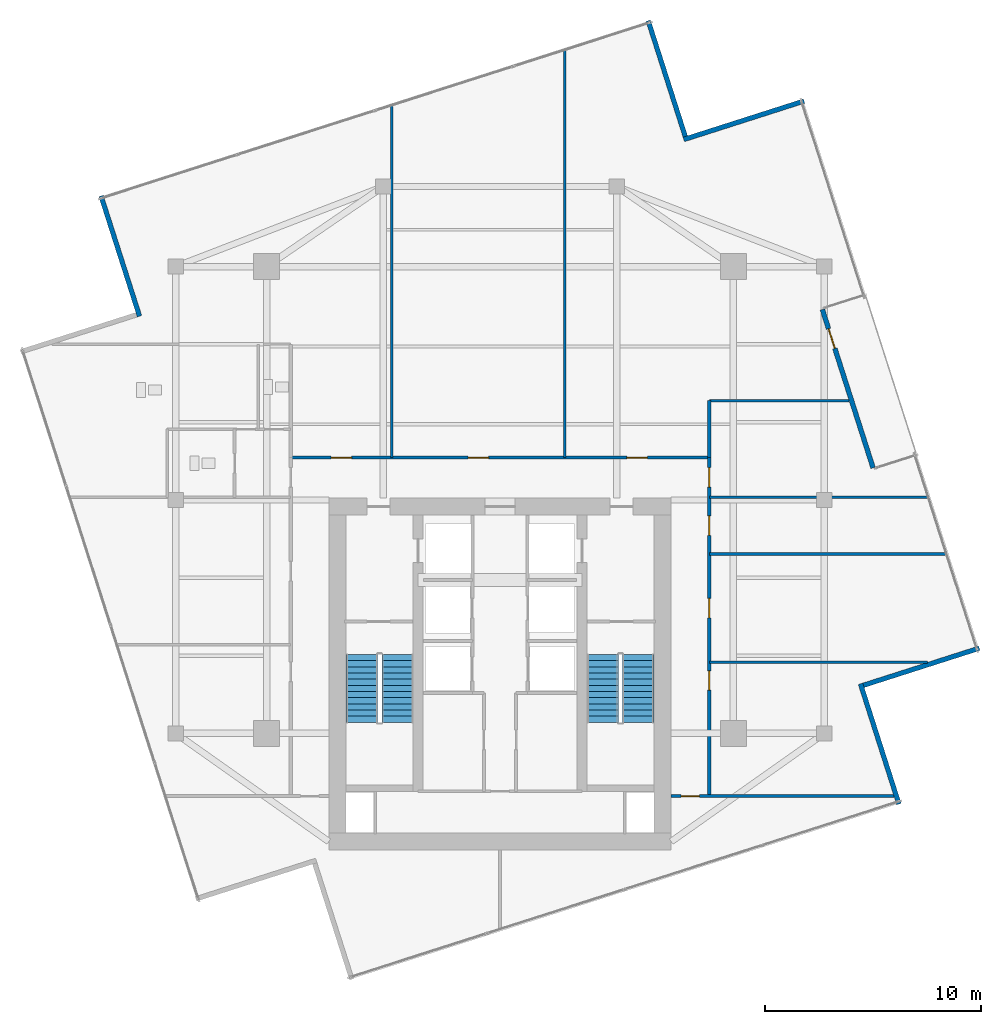
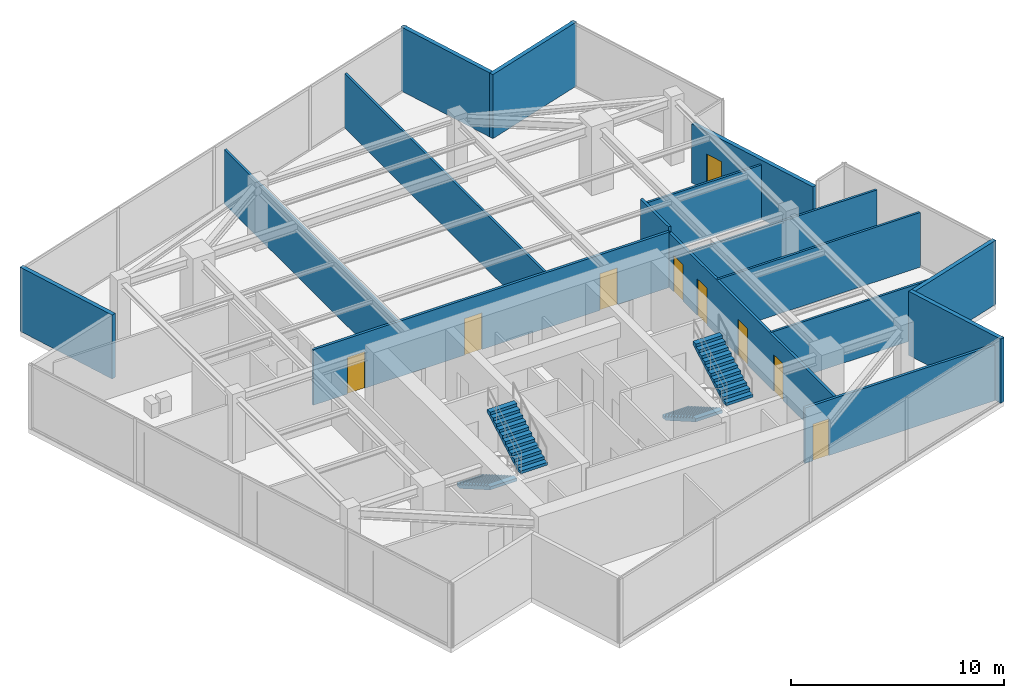
# One storey, part 19 of 21: 16 walls, 9 doors, 4 stair flights, 9 openings, 2 elements without a shape of their own.
"""IFC4 building model written with IfcOpenShell, lengths in metres."""

import ifcopenshell
import ifcopenshell.guid

model = None  # the IFC model being written
_history = None  # IfcOwnerHistory: only IFC2X3 demands one
_inside = {}  # id of a spatial element -> (the spatial element, [elements in it])
_under = {}  # id of a project, library or spatial element -> (it, [spatial elements below it])
_declared = {}  # id of a project -> (the project, [libraries it declares])
_typed = {}  # id of a type object -> (the type object, [elements of that type])
_made_of = {}  # id of a material, layer set ... -> (it, [elements and type objects made of it])


def new_model(schema):
    """Start an empty IFC model of exactly this schema.

    Asked for "IFC4X3", IfcOpenShell would pick the latest addendum, in which some entities
    have other attributes; the version numbers below select the first issue.
    IFC2X3 requires an IfcOwnerHistory on every rooted entity: one is made here for all.
    """
    global model, _history
    if schema == "IFC4X3":
        model = ifcopenshell.file(schema_version=(4, 3, 0, 0))
    else:
        model = ifcopenshell.file(schema=schema)
    _inside.clear()
    _under.clear()
    _declared.clear()
    _typed.clear()
    _made_of.clear()
    _history = None
    if model.schema == "IFC2X3":
        org = make("IfcOrganization", Name="unknown")
        user = make(
            "IfcPersonAndOrganization",
            ThePerson=make("IfcPerson", FamilyName="unknown"),
            TheOrganization=org,
        )
        app = make(
            "IfcApplication",
            ApplicationDeveloper=org,
            Version="unknown",
            ApplicationFullName="unknown",
            ApplicationIdentifier="unknown",
        )
        _history = make(
            "IfcOwnerHistory",
            OwningUser=user,
            OwningApplication=app,
            ChangeAction="ADDED",
            CreationDate=0,
        )
    return model


def make(cls, **values):
    """One entity of the class cls with the attributes given. An attribute that is None is left unset."""
    return model.create_entity(
        cls, **{name: value for name, value in values.items() if value is not None}
    )


def rooted(cls, **values):
    """An entity with a GlobalId (a new one), such as an element, a storey or a relation."""
    return make(cls, GlobalId=ifcopenshell.guid.new(), OwnerHistory=_history, **values)


def si_unit(unit_type, name, prefix=None):
    """IfcSIUnit, for example si_unit("LENGTHUNIT", "METRE", prefix="MILLI")."""
    return make("IfcSIUnit", UnitType=unit_type, Prefix=prefix, Name=name)


def assignment(units):
    """IfcUnitAssignment: the units of a project."""
    return None if units is None else make("IfcUnitAssignment", Units=units)


def point(xyz):
    """IfcCartesianPoint."""
    return None if xyz is None else make("IfcCartesianPoint", Coordinates=xyz)


def direction(xyz):
    """IfcDirection."""
    return None if xyz is None else make("IfcDirection", DirectionRatios=xyz)


def frame(location, z_axis=None, x_axis=None):
    """IfcAxis2Placement3D, a coordinate frame: its origin and axes. An axis left out is left unset."""
    return make(
        "IfcAxis2Placement3D",
        Location=point(location),
        Axis=direction(z_axis),
        RefDirection=direction(x_axis),
    )


def frame_2d(location, x_axis=None):
    """IfcAxis2Placement2D, a coordinate frame in the plane: its origin and x axis."""
    return make(
        "IfcAxis2Placement2D", Location=point(location), RefDirection=direction(x_axis)
    )


def origin():
    """The frame at (0, 0, 0) with its axes left unset."""
    return frame((0.0, 0.0, 0.0))


def place(relative_to, where):
    """IfcLocalPlacement: puts the frame where relative to a parent placement (None: the world)."""
    return make(
        "IfcLocalPlacement", PlacementRelTo=relative_to, RelativePlacement=where
    )


def context(
    kind, dimensions, precision=None, world=None, true_north=None, identifier=None
):
    """IfcGeometricRepresentationContext, for example the 3D "Model" context."""
    return make(
        "IfcGeometricRepresentationContext",
        ContextIdentifier=identifier,
        ContextType=kind,
        CoordinateSpaceDimension=dimensions,
        Precision=precision,
        WorldCoordinateSystem=world,
        TrueNorth=true_north,
    )


def subcontext(parent, identifier, kind, view, scale=None):
    """IfcGeometricRepresentationSubContext, for example "Body" below "Model"."""
    return make(
        "IfcGeometricRepresentationSubContext",
        ContextIdentifier=identifier,
        ContextType=kind,
        ParentContext=parent,
        TargetScale=scale,
        TargetView=view,
    )


def project(units=None, contexts=None):
    """IfcProject with its units and contexts."""
    return rooted(
        "IfcProject",
        Name="project",
        RepresentationContexts=contexts,
        UnitsInContext=assignment(units),
    )


def spatial(cls, under=None, at=None, **own):
    """A site, building, storey or space (cls), placed at a placement, below another one or the project."""
    s = rooted(cls, ObjectPlacement=at, **own)
    if under is not None:
        _under.setdefault(under.id(), (under, []))[1].append(s)
    return s


def polyline(points):
    """IfcPolyline through the points."""
    return make("IfcPolyline", Points=[point(p) for p in points])


def profile(cls, at=None, kind="AREA", **sizes):
    """A parametric profile (cls). Its sizes go by their IFC names, for example OverallWidth=200.0."""
    return make(cls, ProfileType=kind, Position=at, **sizes)


def rectangle(**sizes):
    """IfcRectangleProfileDef."""
    return profile("IfcRectangleProfileDef", **sizes)


def outline(outer, holes=None, kind="AREA"):
    """IfcArbitraryClosedProfileDef: a profile drawn as a closed curve; with holes, ...WithVoids."""
    if holes is None:
        return make("IfcArbitraryClosedProfileDef", ProfileType=kind, OuterCurve=outer)
    return make(
        "IfcArbitraryProfileDefWithVoids",
        ProfileType=kind,
        OuterCurve=outer,
        InnerCurves=holes,
    )


def extrude(swept, where, along, depth):
    """IfcExtrudedAreaSolid: the profile swept, set in the frame where, extruded along a direction by depth."""
    return make(
        "IfcExtrudedAreaSolid",
        SweptArea=swept,
        Position=where,
        ExtrudedDirection=direction(along),
        Depth=depth,
    )


def shape(context_of_items, identifier, shape_type, items):
    """IfcShapeRepresentation: the items that make up one representation, for example the "Body"."""
    return make(
        "IfcShapeRepresentation",
        ContextOfItems=context_of_items,
        RepresentationIdentifier=identifier,
        RepresentationType=shape_type,
        Items=items,
    )


def material(Name=None, Category=None):
    """IfcMaterial."""
    return make("IfcMaterial", Name=Name, Category=Category)


def layer(
    of_material, thickness, ventilated=None, Name=None, Category=None, Priority=None
):
    """IfcMaterialLayer: one layer of a wall or slab, of a material (None: an air gap)."""
    return make(
        "IfcMaterialLayer",
        Material=of_material,
        LayerThickness=thickness,
        IsVentilated=ventilated,
        Name=Name,
        Category=Category,
        Priority=Priority,
    )


def layer_set(layers, Name=None):
    """IfcMaterialLayerSet."""
    return make("IfcMaterialLayerSet", MaterialLayers=layers, LayerSetName=Name)


def made_of(thing, what):
    """Note that an element or type object is made of a material, layer set ...; save() writes the relation."""
    if what is not None:
        _made_of.setdefault(what.id(), (what, []))[1].append(thing)
    return thing


def type_object(cls, material=None, **own):
    """A type object (cls), such as IfcWallType, which elements share."""
    return made_of(rooted(cls, **own), material)


def element(
    cls,
    number,
    at=None,
    inside=None,
    cuts=None,
    type_object=None,
    material=None,
    context=None,
    identifier="Body",
    shape_type=None,
    held_by="IfcProductDefinitionShape",
    body=None,
    shapes=None,
    **own,
):
    """One element of the class cls, such as IfcWall. Its Tag is "e" and its number.

    at: its placement. inside: the storey or other place that contains it. cuts: it is an
    opening in that element (IfcRelVoidsElement). A single representation is given by context,
    identifier, shape_type and body (its items); several are given by shapes. held_by: the class
    of the entity that holds the representations. save() writes the other relations.
    """
    e = rooted(cls, Tag="e%d" % number, ObjectPlacement=at, **own)
    if body is not None:
        shapes = [shape(context, identifier, shape_type, body)]
    if shapes is not None:
        e.Representation = make(held_by, Representations=shapes)
    if inside is not None:
        _inside.setdefault(inside.id(), (inside, []))[1].append(e)
    if cuts is not None:
        rooted(
            "IfcRelVoidsElement", RelatingBuildingElement=cuts, RelatedOpeningElement=e
        )
    if type_object is not None:
        _typed.setdefault(type_object.id(), (type_object, []))[1].append(e)
    return made_of(e, material)


def fill(opening, filler):
    """IfcRelFillsElement: the door or window that sits in an opening."""
    return rooted(
        "IfcRelFillsElement",
        RelatingOpeningElement=opening,
        RelatedBuildingElement=filler,
    )


def aggregate(whole, parts):
    """IfcRelAggregates: a whole, such as a stair, and the parts it consists of."""
    return rooted("IfcRelAggregates", RelatingObject=whole, RelatedObjects=parts)


def save(model, path):
    """Write the relations noted so far, then the file.

    IfcRelAggregates (storeys below a building ...), IfcRelContainedInSpatialStructure (elements
    in a storey), IfcRelDefinesByType, IfcRelAssociatesMaterial and IfcRelDeclares: one each for
    every whole, place, type object, material and project.
    """
    for whole, parts in _under.values():
        aggregate(whole, parts)
    for where, things in _inside.values():
        rooted(
            "IfcRelContainedInSpatialStructure",
            RelatedElements=things,
            RelatingStructure=where,
        )
    for kind, things in _typed.values():
        rooted("IfcRelDefinesByType", RelatedObjects=things, RelatingType=kind)
    for what, things in _made_of.values():
        rooted("IfcRelAssociatesMaterial", RelatedObjects=things, RelatingMaterial=what)
    for by, libraries in _declared.values():
        rooted("IfcRelDeclares", RelatingContext=by, RelatedDefinitions=libraries)
    model.write(path)


model = new_model("IFC4")

# Units and contexts
model_context = context("Model", 3, precision=1e-05, world=origin(), true_north=direction((0.0, 1.0)))
body_context = subcontext(model_context, "Body", "Model", "MODEL_VIEW")
ifc_project = project(units=[si_unit("LENGTHUNIT", "METRE"), si_unit("AREAUNIT", "SQUARE_METRE"), si_unit("VOLUMEUNIT", "CUBIC_METRE"), si_unit("PLANEANGLEUNIT", "RADIAN"), si_unit("MASSUNIT", "GRAM", prefix="KILO")], contexts=[model_context])

# Site, building, storey
site_placement = place(None, origin())
site = spatial("IfcSite", under=ifc_project, at=site_placement, CompositionType="ELEMENT")
building_placement = place(site_placement, origin())
building = spatial("IfcBuilding", under=site, at=building_placement, Name="Krantzveldt Concourse Tower", CompositionType="ELEMENT")
storey_placement = place(building_placement, frame((0.0, 0.0, 339.550048828125)))
storey = spatial("IfcBuildingStorey", under=building, at=storey_placement, Name="L83", CompositionType="ELEMENT", Elevation=339.550048828125)

# Walls
ifc_material_1 = material(Name="Anodised aluminium 6063-T6", Category="aluminium")
ifc_layer_1 = layer(ifc_material_1, 0.219970703125, Name="Anodised aluminium 6063-T6", Category="aluminium")
ifc_layer_set_1 = layer_set([ifc_layer_1], Name="Anodised aluminium 6063-T6 (WL-EXT-NOTCH220)")
wall_type_1 = type_object("IfcWallType", Name="WL-EXT-NOTCH220", PredefinedType="ELEMENTEDWALL", material=ifc_layer_set_1)
wall_1_placement = place(storey_placement, frame((44.572265625, 43.513671875, 0.0), z_axis=(0.0, 0.0, 1.0), x_axis=(-0.304903286447, 0.952383318792, 0.0)))
element("IfcWall", 1, at=wall_1_placement, inside=storey, type_object=wall_type_1, Name="EW-L83-NCH00", PredefinedType="ELEMENTEDWALL", context=body_context, shape_type="SweptSolid", body=[
    extrude(rectangle(XDim=5.625, YDim=0.219970703125, at=frame_2d((2.8125, 0.0))), origin(), (0.0, 0.0, 1.0), 3.669921875),
])
for number, where, z_axis, x_axis, name in (
    (2, (17.542724609375, 40.767578125, 0.0), (0.0, 0.0, 1.0), (0.304839382122, -0.952403775248, 0.0), "EW-L83-NCH02"),
    (3, (54.457275390625, 12.63232421875, 0.0), (0.0, 0.0, 1.0), (-0.304839382122, 0.952403775248, 0.0), "EW-L83-NCH08"),
):
    element("IfcWall", number, at=place(storey_placement, frame(where, z_axis=z_axis, x_axis=x_axis)), inside=storey, type_object=wall_type_1, Name=name, PredefinedType="ELEMENTEDWALL", context=body_context, shape_type="SweptSolid", body=[
        extrude(rectangle(XDim=5.8447265625, YDim=0.219970703125, at=frame_2d((2.92236328125, 0.0))), origin(), (0.0, 0.0, 1.0), 3.669921875),
    ])
wall_2_placement = place(storey_placement, frame((52.813720703125, 18.1279296875, 0.0), z_axis=(0.0, 0.0, 1.0), x_axis=(0.952395921602, 0.30486391803, 0.0)))
element("IfcWall", 4, at=wall_2_placement, inside=storey, type_object=wall_type_1, Name="EW-L83-NCH09", PredefinedType="ELEMENTEDWALL", context=body_context, shape_type="SweptSolid", body=[
    extrude(rectangle(XDim=5.625, YDim=0.219970703125, at=frame_2d((2.8125, 0.0))), origin(), (0.0, 0.0, 1.0), 3.669921875),
])

# Wall, opening, door
wall_3_placement = place(storey_placement, frame((50.913818359375, 35.51123046875, 0.0), z_axis=(0.0, 0.0, 1.0), x_axis=(0.304842539612, -0.952402764613, 0.0)))
wall_3 = element("IfcWall", 5, at=wall_3_placement, inside=storey, type_object=wall_type_1, Name="EW-L83-TSLOT", PredefinedType="ELEMENTEDWALL", context=body_context, shape_type="SweptSolid", body=[
    extrude(rectangle(XDim=7.68994140625, YDim=0.219970703125, at=frame_2d((3.844970703125, 0.0))), origin(), (0.0, 0.0, 1.0), 3.3798828125),
])
opening_1_placement = place(wall_3_placement, frame((0.936767578125, 0.0, 0.0)))
opening_1 = element("IfcOpeningElement", 6, at=opening_1_placement, cuts=wall_3, Name="Opening D-EX95", PredefinedType="OPENING", context=body_context, shape_type="SweptSolid", body=[
    extrude(rectangle(XDim=0.949951171875, YDim=2.10009765625, at=frame_2d((0.47509765625, 1.050048828125))), frame((0.0, 0.1201171875, 0.0), z_axis=(0.0, -1.0, 0.0), x_axis=(1.0, 0.0, 0.0)), (0.0, 0.0, 1.0), 0.239990234375),
])
door_type_1 = type_object("IfcDoorType", Name="DR-EXT-950", OperationType="SINGLE_SWING_LEFT", PredefinedType="DOOR", material=ifc_material_1)
door_1_placement = place(opening_1_placement, origin())
door_1 = element("IfcDoor", 7, at=door_1_placement, inside=storey, type_object=door_type_1, Name="DR-L83-TERR", OperationType="SINGLE_SWING_LEFT", OverallHeight=2.10009765625, OverallWidth=0.949951171875, PredefinedType="DOOR", context=body_context, shape_type="SweptSolid", body=[
    extrude(rectangle(XDim=0.949951171875, YDim=2.10009765625, at=frame_2d((0.47509765625, 1.050048828125))), frame((0.0, 0.02490234375, 0.0), z_axis=(0.0, -1.0, 0.0), x_axis=(1.0, 0.0, 0.0)), (0.0, 0.0, 1.0), 0.050048828125),
])
fill(opening_1, door_1)

# Walls
wall_4_placement = place(storey_placement, frame((50.067626953125, 45.157470703125, 0.0), z_axis=(0.0, 0.0, 1.0), x_axis=(-0.952391647481, -0.304877270074, 0.0)))
element("IfcWall", 8, at=wall_4_placement, inside=storey, type_object=wall_type_1, Name="EW-L83-NCH15", PredefinedType="ELEMENTEDWALL", context=body_context, shape_type="SweptSolid", body=[
    extrude(rectangle(XDim=5.844970703125, YDim=0.219970703125, at=frame_2d((2.92236328125, 0.0))), origin(), (0.0, 0.0, 1.0), 3.669921875),
])
ifc_material_2 = material(Name="Fire-rated gypsum plasterboard on steel stud", Category="steel")
ifc_layer_2 = layer(ifc_material_2, 0.1201171875, Name="Fire-rated gypsum plasterboard on steel stud", Category="steel")
ifc_layer_set_2 = layer_set([ifc_layer_2], Name="Fire-rated gypsum plasterboard on steel stud (WL-PART-120)")
wall_type_2 = type_object("IfcWallType", Name="WL-PART-120", PredefinedType="PARTITIONING", material=ifc_layer_set_2)
wall_5_placement = place(storey_placement, frame((45.679931640625, 26.820068359375, 0.0), z_axis=(0.0, 0.0, 1.0), x_axis=(1.0, 0.0, 0.0)))
element("IfcWall", 9, at=wall_5_placement, inside=storey, type_object=wall_type_2, Name="WP-L83-PNTS", PredefinedType="PARTITIONING", context=body_context, shape_type="SweptSolid", body=[
    extrude(rectangle(XDim=10.136962890625, YDim=0.1201171875, at=frame_2d((5.068359375, 0.0))), origin(), (0.0, 0.0, 1.0), 3.1298828125),
])
wall_6_placement = place(storey_placement, frame((45.679931640625, 31.300048828125, 0.0), z_axis=(0.0, 0.0, 1.0), x_axis=(1.0, 0.0, 0.0)))
element("IfcWall", 10, at=wall_6_placement, inside=storey, type_object=wall_type_2, Name="WP-L83-PNTN", PredefinedType="PARTITIONING", context=body_context, shape_type="SweptSolid", body=[
    extrude(rectangle(XDim=6.461181640625, YDim=0.1201171875, at=frame_2d((3.23046875, 0.0))), origin(), (0.0, 0.0, 1.0), 3.1298828125),
])
wall_7_placement = place(storey_placement, frame((31.0, 28.659912109375, 0.0), z_axis=(0.0, 0.0, 1.0), x_axis=(0.0, 1.0, 0.0)))
element("IfcWall", 11, at=wall_7_placement, inside=storey, type_object=wall_type_2, Name="WP-L83-ND1", PredefinedType="PARTITIONING", context=body_context, shape_type="SweptSolid", body=[
    extrude(rectangle(XDim=16.294677734375, YDim=0.1201171875, at=frame_2d((8.1474609375, 0.0))), origin(), (0.0, 0.0, 1.0), 3.1298828125),
])
wall_8_placement = place(storey_placement, frame((39.0, 28.659912109375, 0.0), z_axis=(0.0, 0.0, 1.0), x_axis=(0.0, 1.0, 0.0)))
element("IfcWall", 12, at=wall_8_placement, inside=storey, type_object=wall_type_2, Name="WP-L83-ND2", PredefinedType="PARTITIONING", context=body_context, shape_type="SweptSolid", body=[
    extrude(rectangle(XDim=18.85546875, YDim=0.1201171875, at=frame_2d((9.427734375, 0.0))), origin(), (0.0, 0.0, 1.0), 3.1298828125),
])
wall_9_placement = place(storey_placement, frame((45.679931640625, 19.199951171875, 0.0), z_axis=(0.0, 0.0, 1.0), x_axis=(1.0, 0.0, 0.0)))
element("IfcWall", 13, at=wall_9_placement, inside=storey, type_object=wall_type_2, Name="WP-L83-ED1", PredefinedType="PARTITIONING", context=body_context, shape_type="SweptSolid", body=[
    extrude(rectangle(XDim=10.10595703125, YDim=0.1201171875, at=frame_2d((5.052978515625, 0.0))), origin(), (0.0, 0.0, 1.0), 3.1298828125),
])
wall_10_placement = place(storey_placement, frame((45.679931640625, 24.199951171875, 0.0), z_axis=(0.0, 0.0, 1.0), x_axis=(1.0, 0.0, 0.0)))
element("IfcWall", 14, at=wall_10_placement, inside=storey, type_object=wall_type_2, Name="WP-L83-ED2", PredefinedType="PARTITIONING", context=body_context, shape_type="SweptSolid", body=[
    extrude(rectangle(XDim=10.9755859375, YDim=0.1201171875, at=frame_2d((5.48779296875, 0.0))), origin(), (0.0, 0.0, 1.0), 3.1298828125),
])

# Wall, openings, doors
ifc_layer_3 = layer(ifc_material_2, 0.139892578125, Name="Fire-rated gypsum plasterboard on steel stud", Category="steel")
ifc_layer_set_3 = layer_set([ifc_layer_3], Name="Fire-rated gypsum plasterboard on steel stud (WL-PART-140)")
wall_type_3 = type_object("IfcWallType", Name="WL-PART-140", PredefinedType="PARTITIONING", material=ifc_layer_set_3)
wall_11_placement = place(storey_placement, frame((26.320068359375, 28.659912109375, 0.0), z_axis=(0.0, 0.0, 1.0), x_axis=(1.0, 0.0, 0.0)))
wall_11 = element("IfcWall", 15, at=wall_11_placement, inside=storey, type_object=wall_type_3, Name="WP-L83-CNHDR", PredefinedType="PARTITIONING", context=body_context, shape_type="SweptSolid", body=[
    extrude(rectangle(XDim=19.35986328125, YDim=0.139892578125, at=frame_2d((9.679931640625, 0.0))), origin(), (0.0, 0.0, 1.0), 3.179931640625),
])
opening_2_placement = place(wall_11_placement, frame((1.864990234375, 0.0, 0.0)))
opening_2 = element("IfcOpeningElement", 16, at=opening_2_placement, cuts=wall_11, Name="Opening D-IN095", PredefinedType="OPENING", context=body_context, shape_type="SweptSolid", body=[
    extrude(rectangle(XDim=0.949951171875, YDim=2.10009765625, at=frame_2d((0.47509765625, 1.050048828125))), frame((0.0, 0.080078125, 0.0), z_axis=(0.0, -1.0, 0.0), x_axis=(1.0, 0.0, 0.0)), (0.0, 0.0, 1.0), 0.159912109375),
])
opening_3_placement = place(wall_11_placement, frame((8.205078125, 0.0, 0.0)))
opening_3 = element("IfcOpeningElement", 17, at=opening_3_placement, cuts=wall_11, Name="Opening D-IN095", PredefinedType="OPENING", context=body_context, shape_type="SweptSolid", body=[
    extrude(rectangle(XDim=0.949951171875, YDim=2.10009765625, at=frame_2d((0.47509765625, 1.050048828125))), frame((0.0, 0.080078125, 0.0), z_axis=(0.0, -1.0, 0.0), x_axis=(1.0, 0.0, 0.0)), (0.0, 0.0, 1.0), 0.159912109375),
])
opening_4_placement = place(wall_11_placement, frame((15.544921875, 0.0, 0.0)))
opening_4 = element("IfcOpeningElement", 18, at=opening_4_placement, cuts=wall_11, Name="Opening D-IN095", PredefinedType="OPENING", context=body_context, shape_type="SweptSolid", body=[
    extrude(rectangle(XDim=0.949951171875, YDim=2.10009765625, at=frame_2d((0.47509765625, 1.050048828125))), frame((0.0, 0.080078125, 0.0), z_axis=(0.0, -1.0, 0.0), x_axis=(1.0, 0.0, 0.0)), (0.0, 0.0, 1.0), 0.159912109375),
])
ifc_material_3 = material(Name="Hardwood timber", Category="wood")
door_type_2 = type_object("IfcDoorType", Name="DR-INT-950", OperationType="SINGLE_SWING_LEFT", PredefinedType="DOOR", material=ifc_material_3)
door_2_placement = place(opening_2_placement, origin())
door_2 = element("IfcDoor", 19, at=door_2_placement, inside=storey, type_object=door_type_2, Name="DR-L83-NR1", OperationType="SINGLE_SWING_LEFT", OverallHeight=2.10009765625, OverallWidth=0.949951171875, PredefinedType="DOOR", context=body_context, shape_type="SweptSolid", body=[
    extrude(rectangle(XDim=0.949951171875, YDim=2.10009765625, at=frame_2d((0.47509765625, 1.050048828125))), frame((0.0, 0.02490234375, 0.0), z_axis=(0.0, -1.0, 0.0), x_axis=(1.0, 0.0, 0.0)), (0.0, 0.0, 1.0), 0.050048828125),
])
fill(opening_2, door_2)
door_3_placement = place(opening_3_placement, origin())
door_3 = element("IfcDoor", 20, at=door_3_placement, inside=storey, type_object=door_type_2, Name="DR-L83-NR2", OperationType="SINGLE_SWING_LEFT", OverallHeight=2.10009765625, OverallWidth=0.949951171875, PredefinedType="DOOR", context=body_context, shape_type="SweptSolid", body=[
    extrude(rectangle(XDim=0.949951171875, YDim=2.10009765625, at=frame_2d((0.47509765625, 1.050048828125))), frame((0.0, 0.02490234375, 0.0), z_axis=(0.0, -1.0, 0.0), x_axis=(1.0, 0.0, 0.0)), (0.0, 0.0, 1.0), 0.050048828125),
])
fill(opening_3, door_3)
door_4_placement = place(opening_4_placement, origin())
door_4 = element("IfcDoor", 21, at=door_4_placement, inside=storey, type_object=door_type_2, Name="DR-L83-NR3", OperationType="SINGLE_SWING_LEFT", OverallHeight=2.10009765625, OverallWidth=0.949951171875, PredefinedType="DOOR", context=body_context, shape_type="SweptSolid", body=[
    extrude(rectangle(XDim=0.949951171875, YDim=2.10009765625, at=frame_2d((0.47509765625, 1.050048828125))), frame((0.0, 0.02490234375, 0.0), z_axis=(0.0, -1.0, 0.0), x_axis=(1.0, 0.0, 0.0)), (0.0, 0.0, 1.0), 0.050048828125),
])
fill(opening_4, door_4)

wall_12_placement = place(storey_placement, frame((45.679931640625, 13.0, 0.0), z_axis=(0.0, 0.0, 1.0), x_axis=(0.0, 1.0, 0.0)))
wall_12 = element("IfcWall", 22, at=wall_12_placement, inside=storey, type_object=wall_type_3, Name="WP-L83-CEAST", PredefinedType="PARTITIONING", context=body_context, shape_type="SweptSolid", body=[
    extrude(rectangle(XDim=15.659912109375, YDim=0.139892578125, at=frame_2d((7.830078125, 0.0))), origin(), (0.0, 0.0, 1.0), 3.1298828125),
])
opening_5_placement = place(wall_12_placement, frame((14.300048828125, 0.0, 0.0)))
opening_5 = element("IfcOpeningElement", 23, at=opening_5_placement, cuts=wall_12, Name="Opening D-IN090", PredefinedType="OPENING", context=body_context, shape_type="SweptSolid", body=[
    extrude(rectangle(XDim=0.89990234375, YDim=2.10009765625, at=frame_2d((0.449951171875, 1.050048828125))), frame((0.0, 0.080078125, 0.0), z_axis=(0.0, -1.0, 0.0), x_axis=(1.0, 0.0, 0.0)), (0.0, 0.0, 1.0), 0.159912109375),
])
opening_6_placement = place(wall_12_placement, frame((4.89990234375, 0.0, 0.0)))
opening_6 = element("IfcOpeningElement", 24, at=opening_6_placement, cuts=wall_12, Name="Opening D-IN090", PredefinedType="OPENING", context=body_context, shape_type="SweptSolid", body=[
    extrude(rectangle(XDim=0.89990234375, YDim=2.10009765625, at=frame_2d((0.449951171875, 1.050048828125))), frame((0.0, 0.080078125, 0.0), z_axis=(0.0, -1.0, 0.0), x_axis=(1.0, 0.0, 0.0)), (0.0, 0.0, 1.0), 0.159912109375),
])
opening_7_placement = place(wall_12_placement, frame((8.25, 0.0, 0.0)))
opening_7 = element("IfcOpeningElement", 25, at=opening_7_placement, cuts=wall_12, Name="Opening D-IN090", PredefinedType="OPENING", context=body_context, shape_type="SweptSolid", body=[
    extrude(rectangle(XDim=0.89990234375, YDim=2.10009765625, at=frame_2d((0.449951171875, 1.050048828125))), frame((0.0, 0.080078125, 0.0), z_axis=(0.0, -1.0, 0.0), x_axis=(1.0, 0.0, 0.0)), (0.0, 0.0, 1.0), 0.159912109375),
])
opening_8_placement = place(wall_12_placement, frame((12.06005859375, 0.0, 0.0)))
opening_8 = element("IfcOpeningElement", 26, at=opening_8_placement, cuts=wall_12, Name="Opening D-IN090", PredefinedType="OPENING", context=body_context, shape_type="SweptSolid", body=[
    extrude(rectangle(XDim=0.89990234375, YDim=2.10009765625, at=frame_2d((0.449951171875, 1.050048828125))), frame((0.0, 0.080078125, 0.0), z_axis=(0.0, -1.0, 0.0), x_axis=(1.0, 0.0, 0.0)), (0.0, 0.0, 1.0), 0.159912109375),
])
door_type_3 = type_object("IfcDoorType", Name="DR-INT-900", OperationType="SINGLE_SWING_LEFT", PredefinedType="DOOR", material=ifc_material_3)
door_5_placement = place(opening_5_placement, origin())
door_5 = element("IfcDoor", 27, at=door_5_placement, inside=storey, type_object=door_type_3, Name="DR-L83-PNT", OperationType="SINGLE_SWING_RIGHT", OverallHeight=2.10009765625, OverallWidth=0.89990234375, PredefinedType="DOOR", context=body_context, shape_type="SweptSolid", body=[
    extrude(rectangle(XDim=0.89990234375, YDim=2.10009765625, at=frame_2d((0.449951171875, 1.050048828125))), frame((0.0, 0.02490234375, 0.0), z_axis=(0.0, -1.0, 0.0), x_axis=(1.0, 0.0, 0.0)), (0.0, 0.0, 1.0), 0.050048828125),
])
fill(opening_5, door_5)
door_6_placement = place(opening_6_placement, origin())
door_6 = element("IfcDoor", 28, at=door_6_placement, inside=storey, type_object=door_type_3, Name="DR-L83-ER1", OperationType="SINGLE_SWING_LEFT", OverallHeight=2.10009765625, OverallWidth=0.89990234375, PredefinedType="DOOR", context=body_context, shape_type="SweptSolid", body=[
    extrude(rectangle(XDim=0.89990234375, YDim=2.10009765625, at=frame_2d((0.449951171875, 1.050048828125))), frame((0.0, 0.02490234375, 0.0), z_axis=(0.0, -1.0, 0.0), x_axis=(1.0, 0.0, 0.0)), (0.0, 0.0, 1.0), 0.050048828125),
])
fill(opening_6, door_6)
door_7_placement = place(opening_7_placement, origin())
door_7 = element("IfcDoor", 29, at=door_7_placement, inside=storey, type_object=door_type_3, Name="DR-L83-ER2", OperationType="SINGLE_SWING_LEFT", OverallHeight=2.10009765625, OverallWidth=0.89990234375, PredefinedType="DOOR", context=body_context, shape_type="SweptSolid", body=[
    extrude(rectangle(XDim=0.89990234375, YDim=2.10009765625, at=frame_2d((0.449951171875, 1.050048828125))), frame((0.0, 0.02490234375, 0.0), z_axis=(0.0, -1.0, 0.0), x_axis=(1.0, 0.0, 0.0)), (0.0, 0.0, 1.0), 0.050048828125),
])
fill(opening_7, door_7)
door_8_placement = place(opening_8_placement, origin())
door_8 = element("IfcDoor", 30, at=door_8_placement, inside=storey, type_object=door_type_3, Name="DR-L83-ER3", OperationType="SINGLE_SWING_LEFT", OverallHeight=2.10009765625, OverallWidth=0.89990234375, PredefinedType="DOOR", context=body_context, shape_type="SweptSolid", body=[
    extrude(rectangle(XDim=0.89990234375, YDim=2.10009765625, at=frame_2d((0.449951171875, 1.050048828125))), frame((0.0, 0.02490234375, 0.0), z_axis=(0.0, -1.0, 0.0), x_axis=(1.0, 0.0, 0.0)), (0.0, 0.0, 1.0), 0.050048828125),
])
fill(opening_8, door_8)

# Wall, opening, door
wall_13_placement = place(storey_placement, frame((43.919921875, 13.0, 0.0), z_axis=(0.0, 0.0, 1.0), x_axis=(1.0, 0.0, 0.0)))
wall_13 = element("IfcWall", 31, at=wall_13_placement, inside=storey, type_object=wall_type_3, Name="WP-L83-CSBOTE", PredefinedType="PARTITIONING", context=body_context, shape_type="SweptSolid", body=[
    extrude(rectangle(XDim=10.299072265625, YDim=0.139892578125, at=frame_2d((5.1494140625, 0.0))), origin(), (0.0, 0.0, 1.0), 3.179931640625),
])
opening_9_placement = place(wall_13_placement, frame((0.455078125, 0.0, 0.0)))
opening_9 = element("IfcOpeningElement", 32, at=opening_9_placement, cuts=wall_13, Name="Opening D-IN085", PredefinedType="OPENING", context=body_context, shape_type="SweptSolid", body=[
    extrude(rectangle(XDim=0.85009765625, YDim=2.10009765625, at=frame_2d((0.425048828125, 1.050048828125))), frame((0.0, 0.080078125, 0.0), z_axis=(0.0, -1.0, 0.0), x_axis=(1.0, 0.0, 0.0)), (0.0, 0.0, 1.0), 0.159912109375),
])
door_type_4 = type_object("IfcDoorType", Name="DR-INT-850", OperationType="SINGLE_SWING_LEFT", PredefinedType="DOOR", material=ifc_material_3)
door_9_placement = place(opening_9_placement, origin())
door_9 = element("IfcDoor", 33, at=door_9_placement, inside=storey, type_object=door_type_4, Name="DR-L83-SR2", OperationType="SINGLE_SWING_LEFT", OverallHeight=2.10009765625, OverallWidth=0.85009765625, PredefinedType="DOOR", context=body_context, shape_type="SweptSolid", body=[
    extrude(rectangle(XDim=0.85009765625, YDim=2.10009765625, at=frame_2d((0.425048828125, 1.050048828125))), frame((0.0, 0.02490234375, 0.0), z_axis=(0.0, -1.0, 0.0), x_axis=(1.0, 0.0, 0.0)), (0.0, 0.0, 1.0), 0.050048828125),
])
fill(opening_9, door_9)

# Wall
wall_14_placement = place(storey_placement, frame((45.679931640625, 28.659912109375, 0.0), z_axis=(0.0, 0.0, 1.0), x_axis=(0.0, 1.0, 0.0)))
element("IfcWall", 34, at=wall_14_placement, inside=storey, type_object=wall_type_3, Name="WP-L83-NER", PredefinedType="PARTITIONING", context=body_context, shape_type="SweptSolid", body=[
    extrude(rectangle(XDim=2.64013671875, YDim=0.139892578125, at=frame_2d((1.320068359375, 0.0))), origin(), (0.0, 0.0, 1.0), 3.429931640625),
])

# Stair, stair flights
ifc_material_4 = material(Name="Precast concrete C40/50", Category="concrete")
stair_type = type_object("IfcStairType", Name="STR-CORE-DOGLEG", PredefinedType="HALF_TURN_STAIR", material=ifc_material_4)
stair_1_placement = place(storey_placement, origin())
stair_1 = element("IfcStair", 35, at=stair_1_placement, inside=storey, type_object=stair_type, Name="L83 Protected Escape Stair ST-1", PredefinedType="HALF_TURN_STAIR")
stair_flight_type = type_object("IfcStairFlightType", Name="STF-CORE-1450", PredefinedType="STRAIGHT", material=ifc_material_4)
stair_flight_1_placement = place(storey_placement, frame((29.60498046875, 19.550048828125, 0.0), z_axis=(0.0, 0.0, 1.0), x_axis=(0.0, -1.0, 0.0)))
stair_flight_1 = element("IfcStairFlight", 36, at=stair_flight_1_placement, type_object=stair_flight_type, Name="ST-1 flight 1", NumberOfRisers=12, NumberOfTreads=11, PredefinedType="STRAIGHT", RiserHeight=0.164583333, TreadLength=0.285, context=body_context, shape_type="SweptSolid", body=[
    extrude(outline(polyline([(0.0, 0.0), (0.0, 0.16455078125), (0.284912109375, 0.16455078125), (0.284912109375, 0.3291015625), (0.570068359375, 0.3291015625), (0.570068359375, 0.49365234375), (0.85498046875, 0.49365234375), (0.85498046875, 0.658447265625), (1.139892578125, 0.658447265625), (1.139892578125, 0.822998046875), (1.425048828125, 0.822998046875), (1.425048828125, 0.987548828125), (1.7099609375, 0.987548828125), (1.7099609375, 1.152099609375), (1.9951171875, 1.152099609375), (1.9951171875, 1.316650390625), (2.280029296875, 1.316650390625), (2.280029296875, 1.481201171875), (2.56494140625, 1.481201171875), (2.56494140625, 1.645751953125), (2.85009765625, 1.645751953125), (2.85009765625, 1.810302734375), (3.135009765625, 1.810302734375), (3.135009765625, 1.97509765625), (3.135009765625, 1.63720703125), (0.2998046875, 0.0), (0.0, 0.0)])), frame((0.0, 0.72509765625, 0.0), z_axis=(0.0, -1.0, 0.0), x_axis=(1.0, 0.0, 0.0)), (0.0, 0.0, 1.0), 1.449951171875),
])
stair_flight_2_placement = place(storey_placement, frame((31.2548828125, 16.4150390625, 1.974853515625), z_axis=(0.0, 0.0, 1.0), x_axis=(0.0, 1.0, 0.0)))
stair_flight_2 = element("IfcStairFlight", 37, at=stair_flight_2_placement, type_object=stair_flight_type, Name="ST-1 flight 2", NumberOfRisers=12, NumberOfTreads=11, PredefinedType="STRAIGHT", RiserHeight=0.164583333, TreadLength=0.285, context=body_context, shape_type="SweptSolid", body=[
    extrude(outline(polyline([(0.0, 0.0), (0.0, 0.16455078125), (0.284912109375, 0.16455078125), (0.284912109375, 0.3291015625), (0.570068359375, 0.3291015625), (0.570068359375, 0.49365234375), (0.85498046875, 0.49365234375), (0.85498046875, 0.658447265625), (1.139892578125, 0.658447265625), (1.139892578125, 0.822998046875), (1.425048828125, 0.822998046875), (1.425048828125, 0.987548828125), (1.7099609375, 0.987548828125), (1.7099609375, 1.152099609375), (1.9951171875, 1.152099609375), (1.9951171875, 1.316650390625), (2.280029296875, 1.316650390625), (2.280029296875, 1.481201171875), (2.56494140625, 1.481201171875), (2.56494140625, 1.645751953125), (2.85009765625, 1.645751953125), (2.85009765625, 1.810302734375), (3.135009765625, 1.810302734375), (3.135009765625, 1.97509765625), (3.135009765625, 1.63720703125), (0.2998046875, 0.0), (0.0, 0.0)])), frame((0.0, 0.72509765625, 0.0), z_axis=(0.0, -1.0, 0.0), x_axis=(1.0, 0.0, 0.0)), (0.0, 0.0, 1.0), 1.449951171875),
])
aggregate(stair_1, [stair_flight_1, stair_flight_2])

stair_2_placement = place(storey_placement, origin())
stair_2 = element("IfcStair", 38, at=stair_2_placement, inside=storey, type_object=stair_type, Name="L83 Protected Escape Stair ST-2", PredefinedType="HALF_TURN_STAIR")
stair_flight_3_placement = place(storey_placement, frame((40.7451171875, 19.550048828125, 0.0), z_axis=(0.0, 0.0, 1.0), x_axis=(0.0, -1.0, 0.0)))
stair_flight_3 = element("IfcStairFlight", 39, at=stair_flight_3_placement, type_object=stair_flight_type, Name="ST-2 flight 1", NumberOfRisers=12, NumberOfTreads=11, PredefinedType="STRAIGHT", RiserHeight=0.164583333, TreadLength=0.285, context=body_context, shape_type="SweptSolid", body=[
    extrude(outline(polyline([(0.0, 0.0), (0.0, 0.16455078125), (0.284912109375, 0.16455078125), (0.284912109375, 0.3291015625), (0.570068359375, 0.3291015625), (0.570068359375, 0.49365234375), (0.85498046875, 0.49365234375), (0.85498046875, 0.658447265625), (1.139892578125, 0.658447265625), (1.139892578125, 0.822998046875), (1.425048828125, 0.822998046875), (1.425048828125, 0.987548828125), (1.7099609375, 0.987548828125), (1.7099609375, 1.152099609375), (1.9951171875, 1.152099609375), (1.9951171875, 1.316650390625), (2.280029296875, 1.316650390625), (2.280029296875, 1.481201171875), (2.56494140625, 1.481201171875), (2.56494140625, 1.645751953125), (2.85009765625, 1.645751953125), (2.85009765625, 1.810302734375), (3.135009765625, 1.810302734375), (3.135009765625, 1.97509765625), (3.135009765625, 1.63720703125), (0.2998046875, 0.0), (0.0, 0.0)])), frame((0.0, 0.72509765625, 0.0), z_axis=(0.0, -1.0, 0.0), x_axis=(1.0, 0.0, 0.0)), (0.0, 0.0, 1.0), 1.449951171875),
])
stair_flight_4_placement = place(storey_placement, frame((42.39501953125, 16.4150390625, 1.974853515625), z_axis=(0.0, 0.0, 1.0), x_axis=(0.0, 1.0, 0.0)))
stair_flight_4 = element("IfcStairFlight", 40, at=stair_flight_4_placement, type_object=stair_flight_type, Name="ST-2 flight 2", NumberOfRisers=12, NumberOfTreads=11, PredefinedType="STRAIGHT", RiserHeight=0.164583333, TreadLength=0.285, context=body_context, shape_type="SweptSolid", body=[
    extrude(outline(polyline([(0.0, 0.0), (0.0, 0.16455078125), (0.284912109375, 0.16455078125), (0.284912109375, 0.3291015625), (0.570068359375, 0.3291015625), (0.570068359375, 0.49365234375), (0.85498046875, 0.49365234375), (0.85498046875, 0.658447265625), (1.139892578125, 0.658447265625), (1.139892578125, 0.822998046875), (1.425048828125, 0.822998046875), (1.425048828125, 0.987548828125), (1.7099609375, 0.987548828125), (1.7099609375, 1.152099609375), (1.9951171875, 1.152099609375), (1.9951171875, 1.316650390625), (2.280029296875, 1.316650390625), (2.280029296875, 1.481201171875), (2.56494140625, 1.481201171875), (2.56494140625, 1.645751953125), (2.85009765625, 1.645751953125), (2.85009765625, 1.810302734375), (3.135009765625, 1.810302734375), (3.135009765625, 1.97509765625), (3.135009765625, 1.63720703125), (0.2998046875, 0.0), (0.0, 0.0)])), frame((0.0, 0.72509765625, 0.0), z_axis=(0.0, -1.0, 0.0), x_axis=(1.0, 0.0, 0.0)), (0.0, 0.0, 1.0), 1.449951171875),
])
aggregate(stair_2, [stair_flight_3, stair_flight_4])

save(model, "model.ifc")
